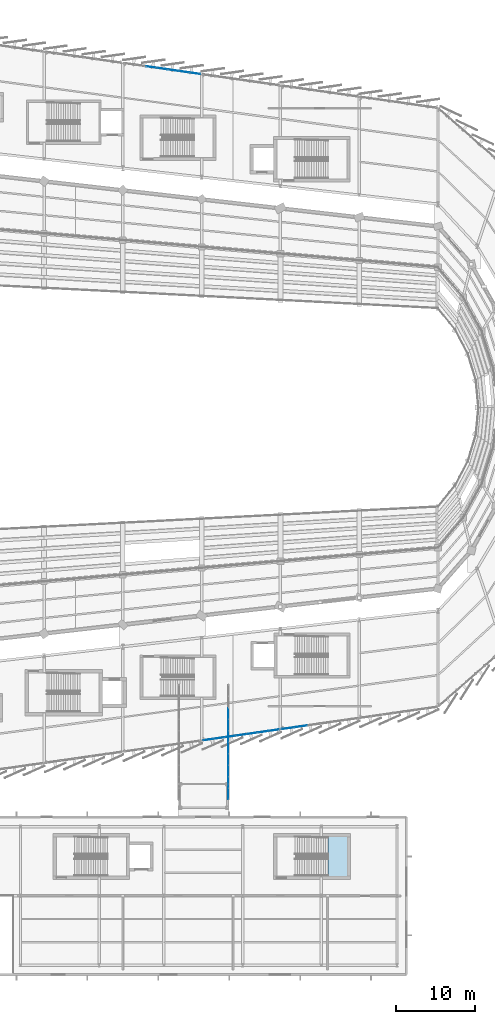
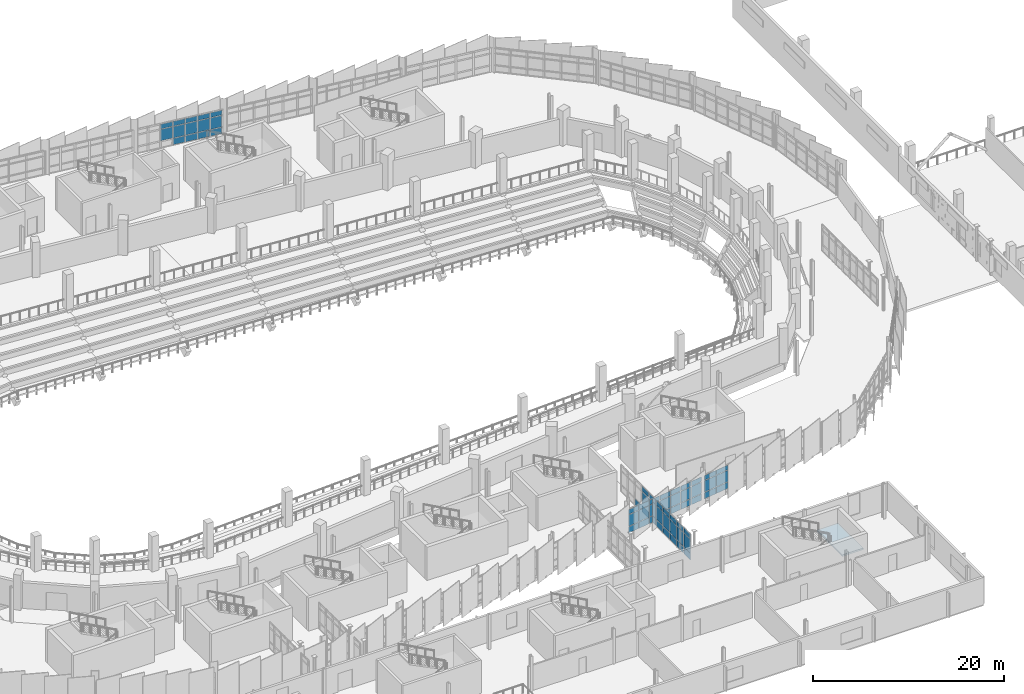
# One storey, part 96 of 134: 63 plates, 1 slab, 5 elements without a shape of their own.
"""IFC4 building model written with IfcOpenShell, lengths in metres."""

from ifc_helpers import new_model, si_unit, direction, frame, origin, origin_2d, place, context, subcontext, project, spatial, polyline, rectangle, outline, extrude, material, layer, layer_set, type_object, element, aggregate, save


model = new_model("IFC4")

# Units and contexts
model_context = context("Model", 3, precision=1e-05, world=origin(), true_north=direction((0.0, 1.0)))
body_context = subcontext(model_context, "Body", "Model", "MODEL_VIEW")
ifc_project = project(units=[si_unit("LENGTHUNIT", "METRE"), si_unit("AREAUNIT", "SQUARE_METRE"), si_unit("VOLUMEUNIT", "CUBIC_METRE"), si_unit("PLANEANGLEUNIT", "RADIAN"), si_unit("MASSUNIT", "GRAM", prefix="KILO")], contexts=[model_context])

# Site, building, storey
site_placement = place(None, origin())
site = spatial("IfcSite", under=ifc_project, at=site_placement, CompositionType="ELEMENT")
building_placement = place(site_placement, origin())
building = spatial("IfcBuilding", under=site, at=building_placement, Name="Sohan Crest Arena", CompositionType="ELEMENT")
storey_placement = place(building_placement, frame((0.0, 0.0, 4.5)))
storey = spatial("IfcBuildingStorey", under=building, at=storey_placement, Name="L01", CompositionType="ELEMENT", Elevation=4.5)

# Curtain wall, plates
ifc_material_1 = material(Name="Thermally broken anodised aluminium", Category="aluminium")
ifc_layer_1 = layer(ifc_material_1, 0.18994140625, Name="Thermally broken anodised aluminium")
ifc_layer_set_1 = layer_set([ifc_layer_1], Name="Thermally broken anodised aluminium")
curtain_wall_type_1 = type_object("IfcCurtainWallType", Name="ARC-CW05", PredefinedType="NOTDEFINED", material=ifc_layer_set_1)
curtain_wall_1_placement = place(storey_placement, origin())
curtain_wall_1 = element("IfcCurtainWall", 1, at=curtain_wall_1_placement, inside=storey, type_object=curtain_wall_type_1, Name="Unitised curtain wall CW-034", PredefinedType="NOTDEFINED")
ifc_material_2 = material(Name="Low-E double-glazed insulated glass", Category="glass")
ifc_layer_2 = layer(ifc_material_2, 0.028076171875, Name="Low-E double-glazed insulated glass")
ifc_layer_set_2 = layer_set([ifc_layer_2], Name="Low-E double-glazed insulated glass")
plate_type_1 = type_object("IfcPlateType", Name="ARC-CNP01", PredefinedType="CURTAIN_PANEL", material=ifc_layer_set_2)
plate_1_placement = place(storey_placement, frame((138.839599609375, 35.833740234375, 0.06494140625), z_axis=(0.0, 0.0, 1.0), x_axis=(0.989931194722, 0.141549389674, 0.0)))
plate_1 = element("IfcPlate", 2, at=plate_1_placement, type_object=plate_type_1, Name="CW-034 panel 1.1", PredefinedType="CURTAIN_PANEL", context=body_context, shape_type="SweptSolid", body=[
    extrude(rectangle(XDim=1.31591796875, YDim=0.028076171875, at=origin_2d()), origin(), (0.0, 0.0, 1.0), 0.802490234375),
])
plate_2_placement = place(storey_placement, frame((138.839599609375, 35.833740234375, 0.932373046875), z_axis=(0.0, 0.0, 1.0), x_axis=(0.989931194722, 0.141549389674, 0.0)))
plate_2 = element("IfcPlate", 3, at=plate_2_placement, type_object=plate_type_1, Name="CW-034 panel 1.2", PredefinedType="CURTAIN_PANEL", context=body_context, shape_type="SweptSolid", body=[
    extrude(rectangle(XDim=1.31591796875, YDim=0.028076171875, at=origin_2d()), origin(), (0.0, 0.0, 1.0), 1.455078125),
])
plate_3_placement = place(storey_placement, frame((138.839599609375, 35.833740234375, 2.452392578125), z_axis=(0.0, 0.0, 1.0), x_axis=(0.989931194722, 0.141549389674, 0.0)))
plate_3 = element("IfcPlate", 4, at=plate_3_placement, type_object=plate_type_1, Name="CW-034 panel 1.3", PredefinedType="CURTAIN_PANEL", context=body_context, shape_type="SweptSolid", body=[
    extrude(rectangle(XDim=1.31591796875, YDim=0.028076171875, at=origin_2d()), origin(), (0.0, 0.0, 1.0), 0.6025390625),
])
plate_4_placement = place(storey_placement, frame((140.216552734375, 36.030517578125, 0.06494140625), z_axis=(0.0, 0.0, 1.0), x_axis=(0.989931194722, 0.141549389674, 0.0)))
plate_4 = element("IfcPlate", 5, at=plate_4_placement, type_object=plate_type_1, Name="CW-034 panel 2.1", PredefinedType="CURTAIN_PANEL", context=body_context, shape_type="SweptSolid", body=[
    extrude(rectangle(XDim=1.345947265625, YDim=0.028076171875, at=origin_2d()), origin(), (0.0, 0.0, 1.0), 0.802490234375),
])
plate_5_placement = place(storey_placement, frame((140.216552734375, 36.030517578125, 0.932373046875), z_axis=(0.0, 0.0, 1.0), x_axis=(0.989931194722, 0.141549389674, 0.0)))
plate_5 = element("IfcPlate", 6, at=plate_5_placement, type_object=plate_type_1, Name="CW-034 panel 2.2", PredefinedType="CURTAIN_PANEL", context=body_context, shape_type="SweptSolid", body=[
    extrude(rectangle(XDim=1.345947265625, YDim=0.028076171875, at=origin_2d()), origin(), (0.0, 0.0, 1.0), 1.455078125),
])
plate_6_placement = place(storey_placement, frame((140.216552734375, 36.030517578125, 2.452392578125), z_axis=(0.0, 0.0, 1.0), x_axis=(0.989931194722, 0.141549389674, 0.0)))
plate_6 = element("IfcPlate", 7, at=plate_6_placement, type_object=plate_type_1, Name="CW-034 panel 2.3", PredefinedType="CURTAIN_PANEL", context=body_context, shape_type="SweptSolid", body=[
    extrude(rectangle(XDim=1.345947265625, YDim=0.028076171875, at=origin_2d()), origin(), (0.0, 0.0, 1.0), 0.6025390625),
])
plate_7_placement = place(storey_placement, frame((141.6083984375, 36.2294921875, 0.06494140625), z_axis=(0.0, 0.0, 1.0), x_axis=(0.989931194722, 0.141549389674, 0.0)))
plate_7 = element("IfcPlate", 8, at=plate_7_placement, type_object=plate_type_1, Name="CW-034 panel 3.1", PredefinedType="CURTAIN_PANEL", context=body_context, shape_type="SweptSolid", body=[
    extrude(rectangle(XDim=1.345947265625, YDim=0.028076171875, at=origin_2d()), origin(), (0.0, 0.0, 1.0), 0.802490234375),
])
plate_8_placement = place(storey_placement, frame((141.6083984375, 36.2294921875, 0.932373046875), z_axis=(0.0, 0.0, 1.0), x_axis=(0.989931194722, 0.141549389674, 0.0)))
plate_8 = element("IfcPlate", 9, at=plate_8_placement, type_object=plate_type_1, Name="CW-034 panel 3.2", PredefinedType="CURTAIN_PANEL", context=body_context, shape_type="SweptSolid", body=[
    extrude(rectangle(XDim=1.345947265625, YDim=0.028076171875, at=origin_2d()), origin(), (0.0, 0.0, 1.0), 1.455078125),
])
plate_9_placement = place(storey_placement, frame((141.6083984375, 36.2294921875, 2.452392578125), z_axis=(0.0, 0.0, 1.0), x_axis=(0.989931194722, 0.141549389674, 0.0)))
plate_9 = element("IfcPlate", 10, at=plate_9_placement, type_object=plate_type_1, Name="CW-034 panel 3.3", PredefinedType="CURTAIN_PANEL", context=body_context, shape_type="SweptSolid", body=[
    extrude(rectangle(XDim=1.345947265625, YDim=0.028076171875, at=origin_2d()), origin(), (0.0, 0.0, 1.0), 0.6025390625),
])
plate_10_placement = place(storey_placement, frame((143.0, 36.428466796875, 0.06494140625), z_axis=(0.0, 0.0, 1.0), x_axis=(0.989931194722, 0.141549389674, 0.0)))
plate_10 = element("IfcPlate", 11, at=plate_10_placement, type_object=plate_type_1, Name="CW-034 panel 4.1", PredefinedType="CURTAIN_PANEL", context=body_context, shape_type="SweptSolid", body=[
    extrude(rectangle(XDim=1.345947265625, YDim=0.028076171875, at=origin_2d()), origin(), (0.0, 0.0, 1.0), 0.802490234375),
])
plate_11_placement = place(storey_placement, frame((143.0, 36.428466796875, 0.932373046875), z_axis=(0.0, 0.0, 1.0), x_axis=(0.989931194722, 0.141549389674, 0.0)))
plate_11 = element("IfcPlate", 12, at=plate_11_placement, type_object=plate_type_1, Name="CW-034 panel 4.2", PredefinedType="CURTAIN_PANEL", context=body_context, shape_type="SweptSolid", body=[
    extrude(rectangle(XDim=1.345947265625, YDim=0.028076171875, at=origin_2d()), origin(), (0.0, 0.0, 1.0), 1.455078125),
])
plate_12_placement = place(storey_placement, frame((143.0, 36.428466796875, 2.452392578125), z_axis=(0.0, 0.0, 1.0), x_axis=(0.989931194722, 0.141549389674, 0.0)))
plate_12 = element("IfcPlate", 13, at=plate_12_placement, type_object=plate_type_1, Name="CW-034 panel 4.3", PredefinedType="CURTAIN_PANEL", context=body_context, shape_type="SweptSolid", body=[
    extrude(rectangle(XDim=1.345947265625, YDim=0.028076171875, at=origin_2d()), origin(), (0.0, 0.0, 1.0), 0.6025390625),
])
plate_13_placement = place(storey_placement, frame((144.3916015625, 36.62744140625, 0.06494140625), z_axis=(0.0, 0.0, 1.0), x_axis=(0.989931194722, 0.141549389674, 0.0)))
plate_13 = element("IfcPlate", 14, at=plate_13_placement, type_object=plate_type_1, Name="CW-034 panel 5.1", PredefinedType="CURTAIN_PANEL", context=body_context, shape_type="SweptSolid", body=[
    extrude(rectangle(XDim=1.345947265625, YDim=0.028076171875, at=origin_2d()), origin(), (0.0, 0.0, 1.0), 0.802490234375),
])
plate_14_placement = place(storey_placement, frame((144.3916015625, 36.62744140625, 0.932373046875), z_axis=(0.0, 0.0, 1.0), x_axis=(0.989931194722, 0.141549389674, 0.0)))
plate_14 = element("IfcPlate", 15, at=plate_14_placement, type_object=plate_type_1, Name="CW-034 panel 5.2", PredefinedType="CURTAIN_PANEL", context=body_context, shape_type="SweptSolid", body=[
    extrude(rectangle(XDim=1.345947265625, YDim=0.028076171875, at=origin_2d()), origin(), (0.0, 0.0, 1.0), 1.455078125),
])
plate_15_placement = place(storey_placement, frame((144.3916015625, 36.62744140625, 2.452392578125), z_axis=(0.0, 0.0, 1.0), x_axis=(0.989931194722, 0.141549389674, 0.0)))
plate_15 = element("IfcPlate", 16, at=plate_15_placement, type_object=plate_type_1, Name="CW-034 panel 5.3", PredefinedType="CURTAIN_PANEL", context=body_context, shape_type="SweptSolid", body=[
    extrude(rectangle(XDim=1.345947265625, YDim=0.028076171875, at=origin_2d()), origin(), (0.0, 0.0, 1.0), 0.6025390625),
])
plate_16_placement = place(storey_placement, frame((145.783447265625, 36.826416015625, 0.06494140625), z_axis=(0.0, 0.0, 1.0), x_axis=(0.989931194722, 0.141549389674, 0.0)))
plate_16 = element("IfcPlate", 17, at=plate_16_placement, type_object=plate_type_1, Name="CW-034 panel 6.1", PredefinedType="CURTAIN_PANEL", context=body_context, shape_type="SweptSolid", body=[
    extrude(rectangle(XDim=1.345947265625, YDim=0.028076171875, at=origin_2d()), origin(), (0.0, 0.0, 1.0), 0.802490234375),
])
plate_17_placement = place(storey_placement, frame((145.783447265625, 36.826416015625, 0.932373046875), z_axis=(0.0, 0.0, 1.0), x_axis=(0.989931194722, 0.141549389674, 0.0)))
plate_17 = element("IfcPlate", 18, at=plate_17_placement, type_object=plate_type_1, Name="CW-034 panel 6.2", PredefinedType="CURTAIN_PANEL", context=body_context, shape_type="SweptSolid", body=[
    extrude(rectangle(XDim=1.345947265625, YDim=0.028076171875, at=origin_2d()), origin(), (0.0, 0.0, 1.0), 1.455078125),
])
plate_18_placement = place(storey_placement, frame((145.783447265625, 36.826416015625, 2.452392578125), z_axis=(0.0, 0.0, 1.0), x_axis=(0.989931194722, 0.141549389674, 0.0)))
plate_18 = element("IfcPlate", 19, at=plate_18_placement, type_object=plate_type_1, Name="CW-034 panel 6.3", PredefinedType="CURTAIN_PANEL", context=body_context, shape_type="SweptSolid", body=[
    extrude(rectangle(XDim=1.345947265625, YDim=0.028076171875, at=origin_2d()), origin(), (0.0, 0.0, 1.0), 0.6025390625),
])
plate_19_placement = place(storey_placement, frame((147.160400390625, 37.0234375, 0.06494140625), z_axis=(0.0, 0.0, 1.0), x_axis=(0.989931194722, 0.141549389674, 0.0)))
plate_19 = element("IfcPlate", 20, at=plate_19_placement, type_object=plate_type_1, Name="CW-034 panel 7.1", PredefinedType="CURTAIN_PANEL", context=body_context, shape_type="SweptSolid", body=[
    extrude(rectangle(XDim=1.31591796875, YDim=0.028076171875, at=origin_2d()), origin(), (0.0, 0.0, 1.0), 0.802490234375),
])
plate_20_placement = place(storey_placement, frame((147.160400390625, 37.0234375, 0.932373046875), z_axis=(0.0, 0.0, 1.0), x_axis=(0.989931194722, 0.141549389674, 0.0)))
plate_20 = element("IfcPlate", 21, at=plate_20_placement, type_object=plate_type_1, Name="CW-034 panel 7.2", PredefinedType="CURTAIN_PANEL", context=body_context, shape_type="SweptSolid", body=[
    extrude(rectangle(XDim=1.31591796875, YDim=0.028076171875, at=origin_2d()), origin(), (0.0, 0.0, 1.0), 1.455078125),
])
plate_21_placement = place(storey_placement, frame((147.160400390625, 37.0234375, 2.452392578125), z_axis=(0.0, 0.0, 1.0), x_axis=(0.989931194722, 0.141549389674, 0.0)))
plate_21 = element("IfcPlate", 22, at=plate_21_placement, type_object=plate_type_1, Name="CW-034 panel 7.3", PredefinedType="CURTAIN_PANEL", context=body_context, shape_type="SweptSolid", body=[
    extrude(rectangle(XDim=1.31591796875, YDim=0.028076171875, at=origin_2d()), origin(), (0.0, 0.0, 1.0), 0.6025390625),
])
aggregate(curtain_wall_1, [plate_1, plate_2, plate_3, plate_4, plate_5, plate_6, plate_7, plate_8, plate_9, plate_10, plate_11, plate_12, plate_13, plate_14, plate_15, plate_16, plate_17, plate_18, plate_19, plate_20, plate_21])

curtain_wall_2_placement = place(storey_placement, origin())
curtain_wall_2 = element("IfcCurtainWall", 23, at=curtain_wall_2_placement, inside=storey, type_object=curtain_wall_type_1, Name="Unitised curtain wall CW-256", PredefinedType="NOTDEFINED")
plate_22_placement = place(storey_placement, frame((141.3798828125, 28.9462890625, 0.06005859375), z_axis=(0.0, 0.0, 1.0), x_axis=(0.0, 1.0, 0.0)))
plate_22 = element("IfcPlate", 24, at=plate_22_placement, type_object=plate_type_1, Name="CW-256 panel 1.1", PredefinedType="CURTAIN_PANEL", context=body_context, shape_type="SweptSolid", body=[
    extrude(rectangle(XDim=1.362548828125, YDim=0.028076171875, at=origin_2d()), origin(), (0.0, 0.0, 1.0), 0.81005859375),
])
plate_23_placement = place(storey_placement, frame((141.3798828125, 28.9462890625, 0.93017578125), z_axis=(0.0, 0.0, 1.0), x_axis=(0.0, 1.0, 0.0)))
plate_23 = element("IfcPlate", 25, at=plate_23_placement, type_object=plate_type_1, Name="CW-256 panel 1.2", PredefinedType="CURTAIN_PANEL", context=body_context, shape_type="SweptSolid", body=[
    extrude(rectangle(XDim=1.362548828125, YDim=0.028076171875, at=origin_2d()), origin(), (0.0, 0.0, 1.0), 1.739990234375),
])
plate_24_placement = place(storey_placement, frame((141.3798828125, 28.9462890625, 2.72998046875), z_axis=(0.0, 0.0, 1.0), x_axis=(0.0, 1.0, 0.0)))
plate_24 = element("IfcPlate", 26, at=plate_24_placement, type_object=plate_type_1, Name="CW-256 panel 1.3", PredefinedType="CURTAIN_PANEL", context=body_context, shape_type="SweptSolid", body=[
    extrude(rectangle(XDim=1.362548828125, YDim=0.028076171875, at=origin_2d()), origin(), (0.0, 0.0, 1.0), 0.610107421875),
])
plate_25_placement = place(storey_placement, frame((141.3798828125, 30.389892578125, 0.06005859375), z_axis=(0.0, 0.0, 1.0), x_axis=(0.0, 1.0, 0.0)))
plate_25 = element("IfcPlate", 27, at=plate_25_placement, type_object=plate_type_1, Name="CW-256 panel 2.1", PredefinedType="CURTAIN_PANEL", context=body_context, shape_type="SweptSolid", body=[
    extrude(rectangle(XDim=1.39501953125, YDim=0.028076171875, at=origin_2d()), origin(), (0.0, 0.0, 1.0), 0.81005859375),
])
plate_26_placement = place(storey_placement, frame((141.3798828125, 30.389892578125, 0.93017578125), z_axis=(0.0, 0.0, 1.0), x_axis=(0.0, 1.0, 0.0)))
plate_26 = element("IfcPlate", 28, at=plate_26_placement, type_object=plate_type_1, Name="CW-256 panel 2.2", PredefinedType="CURTAIN_PANEL", context=body_context, shape_type="SweptSolid", body=[
    extrude(rectangle(XDim=1.39501953125, YDim=0.028076171875, at=origin_2d()), origin(), (0.0, 0.0, 1.0), 1.739990234375),
])
plate_27_placement = place(storey_placement, frame((141.3798828125, 30.389892578125, 2.72998046875), z_axis=(0.0, 0.0, 1.0), x_axis=(0.0, 1.0, 0.0)))
plate_27 = element("IfcPlate", 29, at=plate_27_placement, type_object=plate_type_1, Name="CW-256 panel 2.3", PredefinedType="CURTAIN_PANEL", context=body_context, shape_type="SweptSolid", body=[
    extrude(rectangle(XDim=1.39501953125, YDim=0.028076171875, at=origin_2d()), origin(), (0.0, 0.0, 1.0), 0.610107421875),
])
plate_28_placement = place(storey_placement, frame((141.3798828125, 31.85009765625, 0.06005859375), z_axis=(0.0, 0.0, 1.0), x_axis=(0.0, 1.0, 0.0)))
plate_28 = element("IfcPlate", 30, at=plate_28_placement, type_object=plate_type_1, Name="CW-256 panel 3.1", PredefinedType="CURTAIN_PANEL", context=body_context, shape_type="SweptSolid", body=[
    extrude(rectangle(XDim=1.39501953125, YDim=0.028076171875, at=origin_2d()), origin(), (0.0, 0.0, 1.0), 0.81005859375),
])
plate_29_placement = place(storey_placement, frame((141.3798828125, 31.85009765625, 0.93017578125), z_axis=(0.0, 0.0, 1.0), x_axis=(0.0, 1.0, 0.0)))
plate_29 = element("IfcPlate", 31, at=plate_29_placement, type_object=plate_type_1, Name="CW-256 panel 3.2", PredefinedType="CURTAIN_PANEL", context=body_context, shape_type="SweptSolid", body=[
    extrude(rectangle(XDim=1.39501953125, YDim=0.028076171875, at=origin_2d()), origin(), (0.0, 0.0, 1.0), 1.739990234375),
])
plate_30_placement = place(storey_placement, frame((141.3798828125, 31.85009765625, 2.72998046875), z_axis=(0.0, 0.0, 1.0), x_axis=(0.0, 1.0, 0.0)))
plate_30 = element("IfcPlate", 32, at=plate_30_placement, type_object=plate_type_1, Name="CW-256 panel 3.3", PredefinedType="CURTAIN_PANEL", context=body_context, shape_type="SweptSolid", body=[
    extrude(rectangle(XDim=1.39501953125, YDim=0.028076171875, at=origin_2d()), origin(), (0.0, 0.0, 1.0), 0.610107421875),
])
plate_31_placement = place(storey_placement, frame((141.3798828125, 33.31005859375, 0.06005859375), z_axis=(0.0, 0.0, 1.0), x_axis=(0.0, 1.0, 0.0)))
plate_31 = element("IfcPlate", 33, at=plate_31_placement, type_object=plate_type_1, Name="CW-256 panel 4.1", PredefinedType="CURTAIN_PANEL", context=body_context, shape_type="SweptSolid", body=[
    extrude(rectangle(XDim=1.39501953125, YDim=0.028076171875, at=origin_2d()), origin(), (0.0, 0.0, 1.0), 0.81005859375),
])
plate_32_placement = place(storey_placement, frame((141.3798828125, 33.31005859375, 0.93017578125), z_axis=(0.0, 0.0, 1.0), x_axis=(0.0, 1.0, 0.0)))
plate_32 = element("IfcPlate", 34, at=plate_32_placement, type_object=plate_type_1, Name="CW-256 panel 4.2", PredefinedType="CURTAIN_PANEL", context=body_context, shape_type="SweptSolid", body=[
    extrude(rectangle(XDim=1.39501953125, YDim=0.028076171875, at=origin_2d()), origin(), (0.0, 0.0, 1.0), 1.739990234375),
])
plate_33_placement = place(storey_placement, frame((141.3798828125, 33.31005859375, 2.72998046875), z_axis=(0.0, 0.0, 1.0), x_axis=(0.0, 1.0, 0.0)))
plate_33 = element("IfcPlate", 35, at=plate_33_placement, type_object=plate_type_1, Name="CW-256 panel 4.3", PredefinedType="CURTAIN_PANEL", context=body_context, shape_type="SweptSolid", body=[
    extrude(rectangle(XDim=1.39501953125, YDim=0.028076171875, at=origin_2d()), origin(), (0.0, 0.0, 1.0), 0.610107421875),
])
plate_34_placement = place(storey_placement, frame((141.3798828125, 34.77001953125, 0.06005859375), z_axis=(0.0, 0.0, 1.0), x_axis=(0.0, 1.0, 0.0)))
plate_34 = element("IfcPlate", 36, at=plate_34_placement, type_object=plate_type_1, Name="CW-256 panel 5.1", PredefinedType="CURTAIN_PANEL", context=body_context, shape_type="SweptSolid", body=[
    extrude(rectangle(XDim=1.39501953125, YDim=0.028076171875, at=origin_2d()), origin(), (0.0, 0.0, 1.0), 0.81005859375),
])
plate_35_placement = place(storey_placement, frame((141.3798828125, 34.77001953125, 0.93017578125), z_axis=(0.0, 0.0, 1.0), x_axis=(0.0, 1.0, 0.0)))
plate_35 = element("IfcPlate", 37, at=plate_35_placement, type_object=plate_type_1, Name="CW-256 panel 5.2", PredefinedType="CURTAIN_PANEL", context=body_context, shape_type="SweptSolid", body=[
    extrude(rectangle(XDim=1.39501953125, YDim=0.028076171875, at=origin_2d()), origin(), (0.0, 0.0, 1.0), 1.739990234375),
])
plate_36_placement = place(storey_placement, frame((141.3798828125, 34.77001953125, 2.72998046875), z_axis=(0.0, 0.0, 1.0), x_axis=(0.0, 1.0, 0.0)))
plate_36 = element("IfcPlate", 38, at=plate_36_placement, type_object=plate_type_1, Name="CW-256 panel 5.3", PredefinedType="CURTAIN_PANEL", context=body_context, shape_type="SweptSolid", body=[
    extrude(rectangle(XDim=1.39501953125, YDim=0.028076171875, at=origin_2d()), origin(), (0.0, 0.0, 1.0), 0.610107421875),
])
plate_37_placement = place(storey_placement, frame((141.3798828125, 36.22998046875, 0.06005859375), z_axis=(0.0, 0.0, 1.0), x_axis=(0.0, 1.0, 0.0)))
plate_37 = element("IfcPlate", 39, at=plate_37_placement, type_object=plate_type_1, Name="CW-256 panel 6.1", PredefinedType="CURTAIN_PANEL", context=body_context, shape_type="SweptSolid", body=[
    extrude(rectangle(XDim=1.39501953125, YDim=0.028076171875, at=origin_2d()), origin(), (0.0, 0.0, 1.0), 0.81005859375),
])
plate_38_placement = place(storey_placement, frame((141.3798828125, 36.22998046875, 0.93017578125), z_axis=(0.0, 0.0, 1.0), x_axis=(0.0, 1.0, 0.0)))
plate_38 = element("IfcPlate", 40, at=plate_38_placement, type_object=plate_type_1, Name="CW-256 panel 6.2", PredefinedType="CURTAIN_PANEL", context=body_context, shape_type="SweptSolid", body=[
    extrude(rectangle(XDim=1.39501953125, YDim=0.028076171875, at=origin_2d()), origin(), (0.0, 0.0, 1.0), 1.739990234375),
])
plate_39_placement = place(storey_placement, frame((141.3798828125, 36.22998046875, 2.72998046875), z_axis=(0.0, 0.0, 1.0), x_axis=(0.0, 1.0, 0.0)))
plate_39 = element("IfcPlate", 41, at=plate_39_placement, type_object=plate_type_1, Name="CW-256 panel 6.3", PredefinedType="CURTAIN_PANEL", context=body_context, shape_type="SweptSolid", body=[
    extrude(rectangle(XDim=1.39501953125, YDim=0.028076171875, at=origin_2d()), origin(), (0.0, 0.0, 1.0), 0.610107421875),
])
plate_40_placement = place(storey_placement, frame((141.3798828125, 37.68994140625, 0.06005859375), z_axis=(0.0, 0.0, 1.0), x_axis=(0.0, 1.0, 0.0)))
plate_40 = element("IfcPlate", 42, at=plate_40_placement, type_object=plate_type_1, Name="CW-256 panel 7.1", PredefinedType="CURTAIN_PANEL", context=body_context, shape_type="SweptSolid", body=[
    extrude(rectangle(XDim=1.39501953125, YDim=0.028076171875, at=origin_2d()), origin(), (0.0, 0.0, 1.0), 0.81005859375),
])
plate_41_placement = place(storey_placement, frame((141.3798828125, 37.68994140625, 0.93017578125), z_axis=(0.0, 0.0, 1.0), x_axis=(0.0, 1.0, 0.0)))
plate_41 = element("IfcPlate", 43, at=plate_41_placement, type_object=plate_type_1, Name="CW-256 panel 7.2", PredefinedType="CURTAIN_PANEL", context=body_context, shape_type="SweptSolid", body=[
    extrude(rectangle(XDim=1.39501953125, YDim=0.028076171875, at=origin_2d()), origin(), (0.0, 0.0, 1.0), 1.739990234375),
])
plate_42_placement = place(storey_placement, frame((141.3798828125, 37.68994140625, 2.72998046875), z_axis=(0.0, 0.0, 1.0), x_axis=(0.0, 1.0, 0.0)))
plate_42 = element("IfcPlate", 44, at=plate_42_placement, type_object=plate_type_1, Name="CW-256 panel 7.3", PredefinedType="CURTAIN_PANEL", context=body_context, shape_type="SweptSolid", body=[
    extrude(rectangle(XDim=1.39501953125, YDim=0.028076171875, at=origin_2d()), origin(), (0.0, 0.0, 1.0), 0.610107421875),
])
plate_43_placement = place(storey_placement, frame((141.3798828125, 39.14990234375, 0.06005859375), z_axis=(0.0, 0.0, 1.0), x_axis=(0.0, 1.0, 0.0)))
plate_43 = element("IfcPlate", 45, at=plate_43_placement, type_object=plate_type_1, Name="CW-256 panel 8.1", PredefinedType="CURTAIN_PANEL", context=body_context, shape_type="SweptSolid", body=[
    extrude(rectangle(XDim=1.39501953125, YDim=0.028076171875, at=origin_2d()), origin(), (0.0, 0.0, 1.0), 0.81005859375),
])
aggregate(curtain_wall_2, [plate_22, plate_23, plate_24, plate_25, plate_26, plate_27, plate_28, plate_29, plate_30, plate_31, plate_32, plate_33, plate_34, plate_35, plate_36, plate_37, plate_38, plate_39, plate_40, plate_41, plate_42, plate_43])

ifc_layer_3 = layer(ifc_material_1, 0.2099609375, Name="Thermally broken anodised aluminium")
ifc_layer_set_3 = layer_set([ifc_layer_3], Name="Thermally broken anodised aluminium")
curtain_wall_type_2 = type_object("IfcCurtainWallType", Name="ARC-CW06", PredefinedType="NOTDEFINED", material=ifc_layer_set_3)
curtain_wall_3_placement = place(storey_placement, origin())
curtain_wall_3 = element("IfcCurtainWall", 46, at=curtain_wall_3_placement, inside=storey, type_object=curtain_wall_type_2, Name="Unitised curtain wall CW-035", PredefinedType="NOTDEFINED")
ifc_layer_4 = layer(ifc_material_2, 0.031982421875, Name="Low-E double-glazed insulated glass")
ifc_layer_set_4 = layer_set([ifc_layer_4], Name="Low-E double-glazed insulated glass")
plate_type_2 = type_object("IfcPlateType", Name="ARC-CNP02", PredefinedType="CURTAIN_PANEL", material=ifc_layer_set_4)
plate_44_placement = place(storey_placement, frame((148.95703125, 37.279296875, 0.070068359375), z_axis=(0.0, 0.0, 1.0), x_axis=(0.989945428602, 0.141449808729, 0.0)))
plate_44 = element("IfcPlate", 47, at=plate_44_placement, type_object=plate_type_2, Name="CW-035 panel 1.1", PredefinedType="CURTAIN_PANEL", context=body_context, shape_type="SweptSolid", body=[
    extrude(rectangle(XDim=1.542724609375, YDim=0.031982421875, at=origin_2d()), origin(), (0.0, 0.0, 1.0), 0.794921875),
])
plate_45_placement = place(storey_placement, frame((148.95703125, 37.279296875, 0.93505859375), z_axis=(0.0, 0.0, 1.0), x_axis=(0.989945428602, 0.141449808729, 0.0)))
plate_45 = element("IfcPlate", 48, at=plate_45_placement, type_object=plate_type_2, Name="CW-035 panel 1.2", PredefinedType="CURTAIN_PANEL", context=body_context, shape_type="SweptSolid", body=[
    extrude(rectangle(XDim=1.542724609375, YDim=0.031982421875, at=origin_2d()), origin(), (0.0, 0.0, 1.0), 1.449951171875),
])
plate_46_placement = place(storey_placement, frame((148.95703125, 37.279296875, 2.455078125), z_axis=(0.0, 0.0, 1.0), x_axis=(0.989945428602, 0.141449808729, 0.0)))
plate_46 = element("IfcPlate", 49, at=plate_46_placement, type_object=plate_type_2, Name="CW-035 panel 1.3", PredefinedType="CURTAIN_PANEL", context=body_context, shape_type="SweptSolid", body=[
    extrude(rectangle(XDim=1.542724609375, YDim=0.031982421875, at=origin_2d()), origin(), (0.0, 0.0, 1.0), 0.594970703125),
])
plate_47_placement = place(storey_placement, frame((150.564453125, 37.509033203125, 0.070068359375), z_axis=(0.0, 0.0, 1.0), x_axis=(0.989945428602, 0.141449808729, 0.0)))
plate_47 = element("IfcPlate", 50, at=plate_47_placement, type_object=plate_type_2, Name="CW-035 panel 2.1", PredefinedType="CURTAIN_PANEL", context=body_context, shape_type="SweptSolid", body=[
    extrude(rectangle(XDim=1.5751953125, YDim=0.031982421875, at=origin_2d()), origin(), (0.0, 0.0, 1.0), 0.794921875),
])
plate_48_placement = place(storey_placement, frame((150.564453125, 37.509033203125, 0.93505859375), z_axis=(0.0, 0.0, 1.0), x_axis=(0.989945428602, 0.141449808729, 0.0)))
plate_48 = element("IfcPlate", 51, at=plate_48_placement, type_object=plate_type_2, Name="CW-035 panel 2.2", PredefinedType="CURTAIN_PANEL", context=body_context, shape_type="SweptSolid", body=[
    extrude(rectangle(XDim=1.5751953125, YDim=0.031982421875, at=origin_2d()), origin(), (0.0, 0.0, 1.0), 1.449951171875),
])
plate_49_placement = place(storey_placement, frame((150.564453125, 37.509033203125, 2.455078125), z_axis=(0.0, 0.0, 1.0), x_axis=(0.989945428602, 0.141449808729, 0.0)))
plate_49 = element("IfcPlate", 52, at=plate_49_placement, type_object=plate_type_2, Name="CW-035 panel 2.3", PredefinedType="CURTAIN_PANEL", context=body_context, shape_type="SweptSolid", body=[
    extrude(rectangle(XDim=1.5751953125, YDim=0.031982421875, at=origin_2d()), origin(), (0.0, 0.0, 1.0), 0.594970703125),
])
aggregate(curtain_wall_3, [plate_44, plate_45, plate_46, plate_47, plate_48, plate_49])

ifc_layer_5 = layer(ifc_material_1, 0.179931640625, Name="Thermally broken anodised aluminium")
ifc_layer_set_5 = layer_set([ifc_layer_5], Name="Thermally broken anodised aluminium")
curtain_wall_type_3 = type_object("IfcCurtainWallType", Name="ARC-CW01", PredefinedType="NOTDEFINED", material=ifc_layer_set_5)
curtain_wall_4_placement = place(storey_placement, origin())
curtain_wall_4 = element("IfcCurtainWall", 53, at=curtain_wall_4_placement, inside=storey, type_object=curtain_wall_type_3, Name="Unitised curtain wall CW-046", PredefinedType="NOTDEFINED")
ifc_material_3 = material(Name="Ceramic-fritted solar-control insulated glass", Category="glass")
ifc_layer_6 = layer(ifc_material_3, 0.035888671875, Name="Ceramic-fritted solar-control insulated glass")
ifc_layer_set_6 = layer_set([ifc_layer_6], Name="Ceramic-fritted solar-control insulated glass")
plate_type_3 = type_object("IfcPlateType", Name="ARC-CNP03", PredefinedType="CURTAIN_PANEL", material=ifc_layer_set_6)
plate_50_placement = place(storey_placement, frame((137.15771484375, 120.406005859375, 0.06005859375), z_axis=(0.0, 0.0, 1.0), x_axis=(-0.989945428602, 0.141449808729, 0.0)))
plate_50 = element("IfcPlate", 54, at=plate_50_placement, type_object=plate_type_3, Name="CW-046 panel 1.1", PredefinedType="CURTAIN_PANEL", context=body_context, shape_type="SweptSolid", body=[
    extrude(rectangle(XDim=1.30078125, YDim=0.035888671875, at=origin_2d()), origin(), (0.0, 0.0, 1.0), 0.81005859375),
])
plate_51_placement = place(storey_placement, frame((137.15771484375, 120.406005859375, 0.929931640625), z_axis=(0.0, 0.0, 1.0), x_axis=(-0.989945428602, 0.141449808729, 0.0)))
plate_51 = element("IfcPlate", 55, at=plate_51_placement, type_object=plate_type_3, Name="CW-046 panel 1.2", PredefinedType="CURTAIN_PANEL", context=body_context, shape_type="SweptSolid", body=[
    extrude(rectangle(XDim=1.30078125, YDim=0.035888671875, at=origin_2d()), origin(), (0.0, 0.0, 1.0), 1.4599609375),
])
plate_52_placement = place(storey_placement, frame((137.15771484375, 120.406005859375, 2.44970703125), z_axis=(0.0, 0.0, 1.0), x_axis=(-0.989945428602, 0.141449808729, 0.0)))
plate_52 = element("IfcPlate", 56, at=plate_52_placement, type_object=plate_type_3, Name="CW-046 panel 1.3", PredefinedType="CURTAIN_PANEL", context=body_context, shape_type="SweptSolid", body=[
    extrude(rectangle(XDim=1.30078125, YDim=0.035888671875, at=origin_2d()), origin(), (0.0, 0.0, 1.0), 0.610107421875),
])
plate_53_placement = place(storey_placement, frame((135.783447265625, 120.602294921875, 0.06005859375), z_axis=(0.0, 0.0, 1.0), x_axis=(-0.989945428602, 0.141449808729, 0.0)))
plate_53 = element("IfcPlate", 57, at=plate_53_placement, type_object=plate_type_3, Name="CW-046 panel 2.1", PredefinedType="CURTAIN_PANEL", context=body_context, shape_type="SweptSolid", body=[
    extrude(rectangle(XDim=1.3359375, YDim=0.035888671875, at=origin_2d()), origin(), (0.0, 0.0, 1.0), 0.81005859375),
])
plate_54_placement = place(storey_placement, frame((135.783447265625, 120.602294921875, 0.929931640625), z_axis=(0.0, 0.0, 1.0), x_axis=(-0.989945428602, 0.141449808729, 0.0)))
plate_54 = element("IfcPlate", 58, at=plate_54_placement, type_object=plate_type_3, Name="CW-046 panel 2.2", PredefinedType="CURTAIN_PANEL", context=body_context, shape_type="SweptSolid", body=[
    extrude(rectangle(XDim=1.3359375, YDim=0.035888671875, at=origin_2d()), origin(), (0.0, 0.0, 1.0), 1.4599609375),
])
plate_55_placement = place(storey_placement, frame((135.783447265625, 120.602294921875, 2.44970703125), z_axis=(0.0, 0.0, 1.0), x_axis=(-0.989945428602, 0.141449808729, 0.0)))
plate_55 = element("IfcPlate", 59, at=plate_55_placement, type_object=plate_type_3, Name="CW-046 panel 2.3", PredefinedType="CURTAIN_PANEL", context=body_context, shape_type="SweptSolid", body=[
    extrude(rectangle(XDim=1.3359375, YDim=0.035888671875, at=origin_2d()), origin(), (0.0, 0.0, 1.0), 0.610107421875),
])
plate_56_placement = place(storey_placement, frame((134.3916015625, 120.801025390625, 0.06005859375), z_axis=(0.0, 0.0, 1.0), x_axis=(-0.989945428602, 0.141449808729, 0.0)))
plate_56 = element("IfcPlate", 60, at=plate_56_placement, type_object=plate_type_3, Name="CW-046 panel 3.1", PredefinedType="CURTAIN_PANEL", context=body_context, shape_type="SweptSolid", body=[
    extrude(rectangle(XDim=1.3359375, YDim=0.035888671875, at=origin_2d()), origin(), (0.0, 0.0, 1.0), 0.81005859375),
])
plate_57_placement = place(storey_placement, frame((134.3916015625, 120.801025390625, 0.929931640625), z_axis=(0.0, 0.0, 1.0), x_axis=(-0.989945428602, 0.141449808729, 0.0)))
plate_57 = element("IfcPlate", 61, at=plate_57_placement, type_object=plate_type_3, Name="CW-046 panel 3.2", PredefinedType="CURTAIN_PANEL", context=body_context, shape_type="SweptSolid", body=[
    extrude(rectangle(XDim=1.3359375, YDim=0.035888671875, at=origin_2d()), origin(), (0.0, 0.0, 1.0), 1.4599609375),
])
plate_58_placement = place(storey_placement, frame((134.3916015625, 120.801025390625, 2.44970703125), z_axis=(0.0, 0.0, 1.0), x_axis=(-0.989945428602, 0.141449808729, 0.0)))
plate_58 = element("IfcPlate", 62, at=plate_58_placement, type_object=plate_type_3, Name="CW-046 panel 3.3", PredefinedType="CURTAIN_PANEL", context=body_context, shape_type="SweptSolid", body=[
    extrude(rectangle(XDim=1.3359375, YDim=0.035888671875, at=origin_2d()), origin(), (0.0, 0.0, 1.0), 0.610107421875),
])
plate_59_placement = place(storey_placement, frame((133.0, 121.0, 0.06005859375), z_axis=(0.0, 0.0, 1.0), x_axis=(-0.989945428602, 0.141449808729, 0.0)))
plate_59 = element("IfcPlate", 63, at=plate_59_placement, type_object=plate_type_3, Name="CW-046 panel 4.1", PredefinedType="CURTAIN_PANEL", context=body_context, shape_type="SweptSolid", body=[
    extrude(rectangle(XDim=1.3359375, YDim=0.035888671875, at=origin_2d()), origin(), (0.0, 0.0, 1.0), 0.81005859375),
])
plate_60_placement = place(storey_placement, frame((133.0, 121.0, 0.929931640625), z_axis=(0.0, 0.0, 1.0), x_axis=(-0.989945428602, 0.141449808729, 0.0)))
plate_60 = element("IfcPlate", 64, at=plate_60_placement, type_object=plate_type_3, Name="CW-046 panel 4.2", PredefinedType="CURTAIN_PANEL", context=body_context, shape_type="SweptSolid", body=[
    extrude(rectangle(XDim=1.3359375, YDim=0.035888671875, at=origin_2d()), origin(), (0.0, 0.0, 1.0), 1.4599609375),
])
plate_61_placement = place(storey_placement, frame((133.0, 121.0, 2.44970703125), z_axis=(0.0, 0.0, 1.0), x_axis=(-0.989945428602, 0.141449808729, 0.0)))
plate_61 = element("IfcPlate", 65, at=plate_61_placement, type_object=plate_type_3, Name="CW-046 panel 4.3", PredefinedType="CURTAIN_PANEL", context=body_context, shape_type="SweptSolid", body=[
    extrude(rectangle(XDim=1.3359375, YDim=0.035888671875, at=origin_2d()), origin(), (0.0, 0.0, 1.0), 0.610107421875),
])
plate_62_placement = place(storey_placement, frame((131.6083984375, 121.198974609375, 0.929931640625), z_axis=(0.0, 0.0, 1.0), x_axis=(-0.989945428602, 0.141449808729, 0.0)))
plate_62 = element("IfcPlate", 66, at=plate_62_placement, type_object=plate_type_3, Name="CW-046 panel 5.2", PredefinedType="CURTAIN_PANEL", context=body_context, shape_type="SweptSolid", body=[
    extrude(rectangle(XDim=1.3359375, YDim=0.035888671875, at=origin_2d()), origin(), (0.0, 0.0, 1.0), 1.4599609375),
])
plate_63_placement = place(storey_placement, frame((131.6083984375, 121.198974609375, 2.44970703125), z_axis=(0.0, 0.0, 1.0), x_axis=(-0.989945428602, 0.141449808729, 0.0)))
plate_63 = element("IfcPlate", 67, at=plate_63_placement, type_object=plate_type_3, Name="CW-046 panel 5.3", PredefinedType="CURTAIN_PANEL", context=body_context, shape_type="SweptSolid", body=[
    extrude(rectangle(XDim=1.3359375, YDim=0.035888671875, at=origin_2d()), origin(), (0.0, 0.0, 1.0), 0.610107421875),
])
aggregate(curtain_wall_4, [plate_50, plate_51, plate_52, plate_53, plate_54, plate_55, plate_56, plate_57, plate_58, plate_59, plate_60, plate_61, plate_62, plate_63])

# Stair, slab
ifc_material_4 = material(Name="Concrete C40/50", Category="concrete")
stair_type = type_object("IfcStairType", Name="ST-450W", PredefinedType="TWO_STRAIGHT_RUN_STAIR", material=ifc_material_4)
stair_placement = place(storey_placement, origin())
stair = element("IfcStair", 68, at=stair_placement, inside=storey, type_object=stair_type, Name="Protected exit stair ST11-L01", PredefinedType="TWO_STRAIGHT_RUN_STAIR")
ifc_layer_7 = layer(ifc_material_4, 0.199951171875, Name="Concrete C40/50")
ifc_layer_set_7 = layer_set([ifc_layer_7], Name="Concrete C40/50")
slab_type = type_object("IfcSlabType", Name="SL-LND1", PredefinedType="LANDING", material=ifc_layer_set_7)
slab_placement = place(storey_placement, frame((0.0, 0.0, 2.050048828125)))
slab = element("IfcSlab", 69, at=slab_placement, type_object=slab_type, Name="ST11-L01 landing 1", PredefinedType="LANDING", context=body_context, shape_type="SweptSolid", body=[
    extrude(outline(polyline([(154.030029296875, 18.35009765625), (156.60009765625, 18.35009765625), (156.60009765625, 23.64990234375), (154.030029296875, 23.64990234375), (154.030029296875, 18.35009765625)])), origin(), (0.0, 0.0, 1.0), 0.199951171875),
])
aggregate(stair, [slab])

save(model, "model.ifc")
